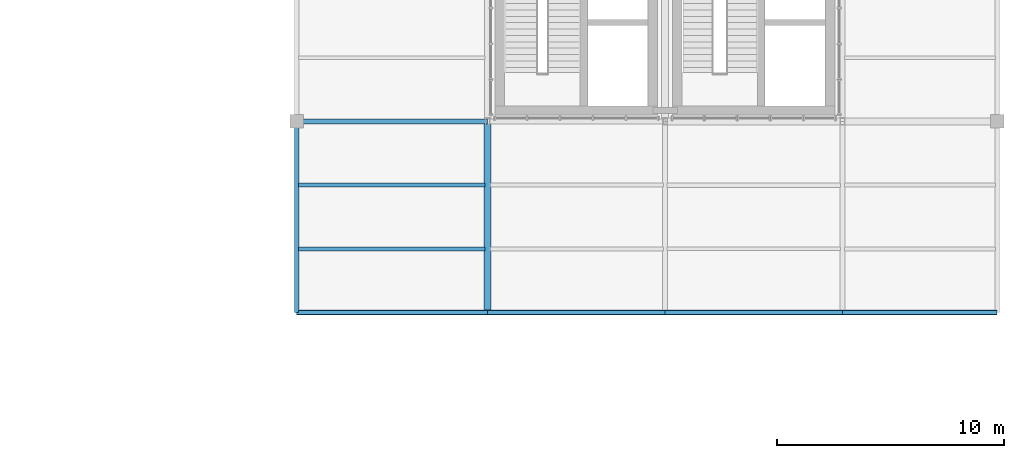
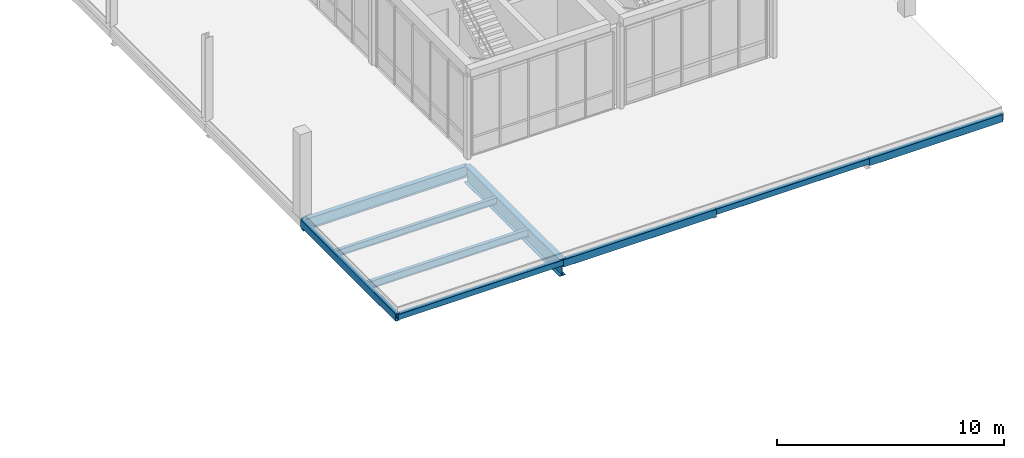
# One storey, part 35 of 66: 9 beams.
"""IFC4 building model written with IfcOpenShell, lengths in metres."""

from ifc_helpers import new_model, si_unit, direction, frame, origin_with_axes, origin_2d_with_axis, place, context, subcontext, project, spatial, hollow_rectangle, i_section, extrude, material, material_profile, profile_set, type_object, element, save


model = new_model("IFC4")

# Units and contexts
model_context = context("Model", 3, precision=1e-05, world=origin_with_axes(), true_north=direction((0.0, 1.0)))
body_context = subcontext(model_context, "Body", "Model", "MODEL_VIEW")
ifc_project = project(units=[si_unit("LENGTHUNIT", "METRE"), si_unit("AREAUNIT", "SQUARE_METRE"), si_unit("VOLUMEUNIT", "CUBIC_METRE"), si_unit("PLANEANGLEUNIT", "RADIAN"), si_unit("MASSUNIT", "GRAM", prefix="KILO"), si_unit("THERMODYNAMICTEMPERATUREUNIT", "KELVIN")], contexts=[model_context])

# Site, building, storey
site_placement = place(None, origin_with_axes())
site = spatial("IfcSite", under=ifc_project, at=site_placement, CompositionType="ELEMENT")
building_placement = place(site_placement, origin_with_axes())
building = spatial("IfcBuilding", under=site, at=building_placement, Name="Montbau Bow Law Courts", CompositionType="ELEMENT")
storey_placement = place(building_placement, frame((0.0, 0.0, 34.5), z_axis=(0.0, 0.0, 1.0), x_axis=(1.0, 0.0, 0.0)))
storey = spatial("IfcBuildingStorey", under=building, at=storey_placement, Name="L07", CompositionType="ELEMENT", Elevation=34.5)

# Beams
ifc_material_1 = material(Name="Steel CSA G40.21 Grade 350W (350 MPa)", Category="steel")
ifc_material_profile_1 = material_profile(ifc_material_1, i_section(OverallWidth=0.306, OverallDepth=0.919, WebThickness=0.0173, FlangeThickness=0.0279, at=origin_2d_with_axis()), Name="W920X253", Category="Main", Priority=0)
ifc_profile_set_1 = profile_set([ifc_material_profile_1], Name="Steel CSA G40.21 Grade 350W (350 MPa)")
beam_type_1 = type_object("IfcBeamType", Name="B-FLR-01", PredefinedType="BEAM", material=ifc_profile_set_1)
beam_1_placement = place(None, frame((147.0, 78.0, 33.751), z_axis=(0.0, 1.0, 0.0), x_axis=(-1.0, 0.0, 0.0)))
element("IfcBeam", 1, at=beam_1_placement, inside=storey, type_object=beam_type_1, Name="BM-L07-S1362:bm2_1365", PredefinedType="BEAM", context=body_context, shape_type="SweptSolid", body=[
    extrude(i_section(OverallWidth=0.306, OverallDepth=0.919, WebThickness=0.0173, FlangeThickness=0.0279, at=origin_2d_with_axis()), origin_with_axes(), (0.0, 0.0, 1.0), 8.4),
])
ifc_material_profile_2 = material_profile(ifc_material_1, i_section(OverallWidth=0.229, OverallDepth=0.612, WebThickness=0.0119, FlangeThickness=0.0196, at=origin_2d_with_axis()), Name="W610X125", Category="Main", Priority=0)
ifc_profile_set_2 = profile_set([ifc_material_profile_2], Name="Steel CSA G40.21 Grade 350W (350 MPa)")
beam_type_2 = type_object("IfcBeamType", Name="B-FLR-05", PredefinedType="BEAM", material=ifc_profile_set_2)
beam_2_placement = place(None, frame((138.6, 86.4, 33.904), z_axis=(1.0, 0.0, 0.0), x_axis=(0.0, 1.0, 0.0)))
element("IfcBeam", 2, at=beam_2_placement, inside=storey, type_object=beam_type_2, Name="BM-L07-S1342:bm2_1345", PredefinedType="BEAM", context=body_context, shape_type="SweptSolid", body=[
    extrude(i_section(OverallWidth=0.229, OverallDepth=0.612, WebThickness=0.0119, FlangeThickness=0.0196, at=origin_2d_with_axis()), origin_with_axes(), (0.0, 0.0, 1.0), 8.4),
])
ifc_material_profile_3 = material_profile(ifc_material_1, i_section(OverallWidth=0.179, OverallDepth=0.41, WebThickness=0.0088, FlangeThickness=0.0144, at=origin_2d_with_axis()), Name="W410X67", Category="Main", Priority=0)
ifc_profile_set_3 = profile_set([ifc_material_profile_3], Name="Steel CSA G40.21 Grade 350W (350 MPa)")
beam_type_3 = type_object("IfcBeamType", Name="B-JST-02", PredefinedType="JOIST", material=ifc_profile_set_3)
beam_3_placement = place(None, frame((138.68, 80.8, 34.005), z_axis=(1.0, 0.0, 0.0), x_axis=(0.0, 1.0, 0.0)))
element("IfcBeam", 3, at=beam_3_placement, inside=storey, type_object=beam_type_3, Name="JST-L07-S0737:jst2_0737", PredefinedType="JOIST", context=body_context, shape_type="SweptSolid", body=[
    extrude(i_section(OverallWidth=0.179, OverallDepth=0.41, WebThickness=0.0088, FlangeThickness=0.0144, at=origin_2d_with_axis()), origin_with_axes(), (0.0, 0.0, 1.0), 8.191),
])
ifc_material_profile_4 = material_profile(ifc_material_1, i_section(OverallWidth=0.172, OverallDepth=0.358, WebThickness=0.0079, FlangeThickness=0.0131, at=origin_2d_with_axis()), Name="W360X57", Category="Main", Priority=0)
ifc_profile_set_4 = profile_set([ifc_material_profile_4], Name="Steel CSA G40.21 Grade 350W (350 MPa)")
beam_type_4 = type_object("IfcBeamType", Name="B-JST-03", PredefinedType="JOIST", material=ifc_profile_set_4)
beam_4_placement = place(None, frame((138.68, 83.6, 34.031), z_axis=(1.0, 0.0, 0.0), x_axis=(0.0, 1.0, 0.0)))
element("IfcBeam", 4, at=beam_4_placement, inside=storey, type_object=beam_type_4, Name="JST-L07-S0738:jst2_0738", PredefinedType="JOIST", context=body_context, shape_type="SweptSolid", body=[
    extrude(i_section(OverallWidth=0.172, OverallDepth=0.358, WebThickness=0.0079, FlangeThickness=0.0131, at=origin_2d_with_axis()), origin_with_axes(), (0.0, 0.0, 1.0), 8.191),
])
ifc_material_2 = material(Name="Steel CSA G40.21 Grade 350WT (350 MPa)", Category="steel")
ifc_material_profile_5 = material_profile(ifc_material_2, hollow_rectangle(XDim=0.203, YDim=0.406, WallThickness=0.0127, InnerFilletRadius=0.0254, OuterFilletRadius=0.0127, at=origin_2d_with_axis()), Name="HSS406X203X13", Category="Main", Priority=0)
ifc_profile_set_5 = profile_set([ifc_material_profile_5], Name="Steel CSA G40.21 Grade 350WT (350 MPa)")
beam_type_5 = type_object("IfcBeamType", Name="B-SPN-01", PredefinedType="SPANDREL", material=ifc_profile_set_5)
beam_5_placement = place(None, frame((147.0, 78.0, 34.007), z_axis=(1.0, 0.0, 0.0), x_axis=(0.0, 1.0, 0.0)))
element("IfcBeam", 5, at=beam_5_placement, inside=storey, type_object=beam_type_5, Name="SPN-L07-S1339:bm2_1342", PredefinedType="SPANDREL", context=body_context, shape_type="SweptSolid", body=[
    extrude(hollow_rectangle(XDim=0.203, YDim=0.406, WallThickness=0.0127, InnerFilletRadius=0.0254, OuterFilletRadius=0.0127, at=origin_2d_with_axis()), origin_with_axes(), (0.0, 0.0, 1.0), 7.8),
])
beam_6_placement = place(None, frame((162.6, 78.0, 34.007), z_axis=(1.0, 0.0, 0.0), x_axis=(0.0, 1.0, 0.0)))
element("IfcBeam", 6, at=beam_6_placement, inside=storey, type_object=beam_type_5, Name="SPN-L07-S1341:bm2_1344", PredefinedType="SPANDREL", context=body_context, shape_type="SweptSolid", body=[
    extrude(hollow_rectangle(XDim=0.203, YDim=0.406, WallThickness=0.0127, InnerFilletRadius=0.0254, OuterFilletRadius=0.0127, at=origin_2d_with_axis()), origin_with_axes(), (0.0, 0.0, 1.0), 6.8),
])
beam_7_placement = place(None, frame((138.6, 78.0, 34.007), z_axis=(0.0, 1.0, 0.0), x_axis=(-1.0, 0.0, 0.0)))
element("IfcBeam", 7, at=beam_7_placement, inside=storey, type_object=beam_type_5, Name="SPN-L07-S1358:bm2_1361", PredefinedType="SPANDREL", context=body_context, shape_type="SweptSolid", body=[
    extrude(hollow_rectangle(XDim=0.203, YDim=0.406, WallThickness=0.0127, InnerFilletRadius=0.0254, OuterFilletRadius=0.0127, at=origin_2d_with_axis()), origin_with_axes(), (0.0, 0.0, 1.0), 8.4),
])
ifc_material_profile_6 = material_profile(ifc_material_2, hollow_rectangle(XDim=0.203, YDim=0.305, WallThickness=0.0127, InnerFilletRadius=0.0254, OuterFilletRadius=0.0127, at=origin_2d_with_axis()), Name="HSS305X203X13", Category="Main", Priority=0)
ifc_profile_set_6 = profile_set([ifc_material_profile_6], Name="Steel CSA G40.21 Grade 350WT (350 MPa)")
beam_type_6 = type_object("IfcBeamType", Name="B-SPN-02", PredefinedType="SPANDREL", material=ifc_profile_set_6)
beam_8_placement = place(None, frame((138.6, 78.0, 34.057), z_axis=(1.0, 0.0, 0.0), x_axis=(0.0, 1.0, 0.0)))
element("IfcBeam", 8, at=beam_8_placement, inside=storey, type_object=beam_type_6, Name="SPN-L07-S1338:bm2_1341", PredefinedType="SPANDREL", context=body_context, shape_type="SweptSolid", body=[
    extrude(hollow_rectangle(XDim=0.203, YDim=0.305, WallThickness=0.0127, InnerFilletRadius=0.0254, OuterFilletRadius=0.0127, at=origin_2d_with_axis()), origin_with_axes(), (0.0, 0.0, 1.0), 8.4),
])
beam_9_placement = place(None, frame((154.8, 78.0, 34.057), z_axis=(1.0, 0.0, 0.0), x_axis=(0.0, 1.0, 0.0)))
element("IfcBeam", 9, at=beam_9_placement, inside=storey, type_object=beam_type_6, Name="SPN-L07-S1340:bm2_1343", PredefinedType="SPANDREL", context=body_context, shape_type="SweptSolid", body=[
    extrude(hollow_rectangle(XDim=0.203, YDim=0.305, WallThickness=0.0127, InnerFilletRadius=0.0254, OuterFilletRadius=0.0127, at=origin_2d_with_axis()), origin_with_axes(), (0.0, 0.0, 1.0), 7.8),
])

save(model, "model.ifc")
